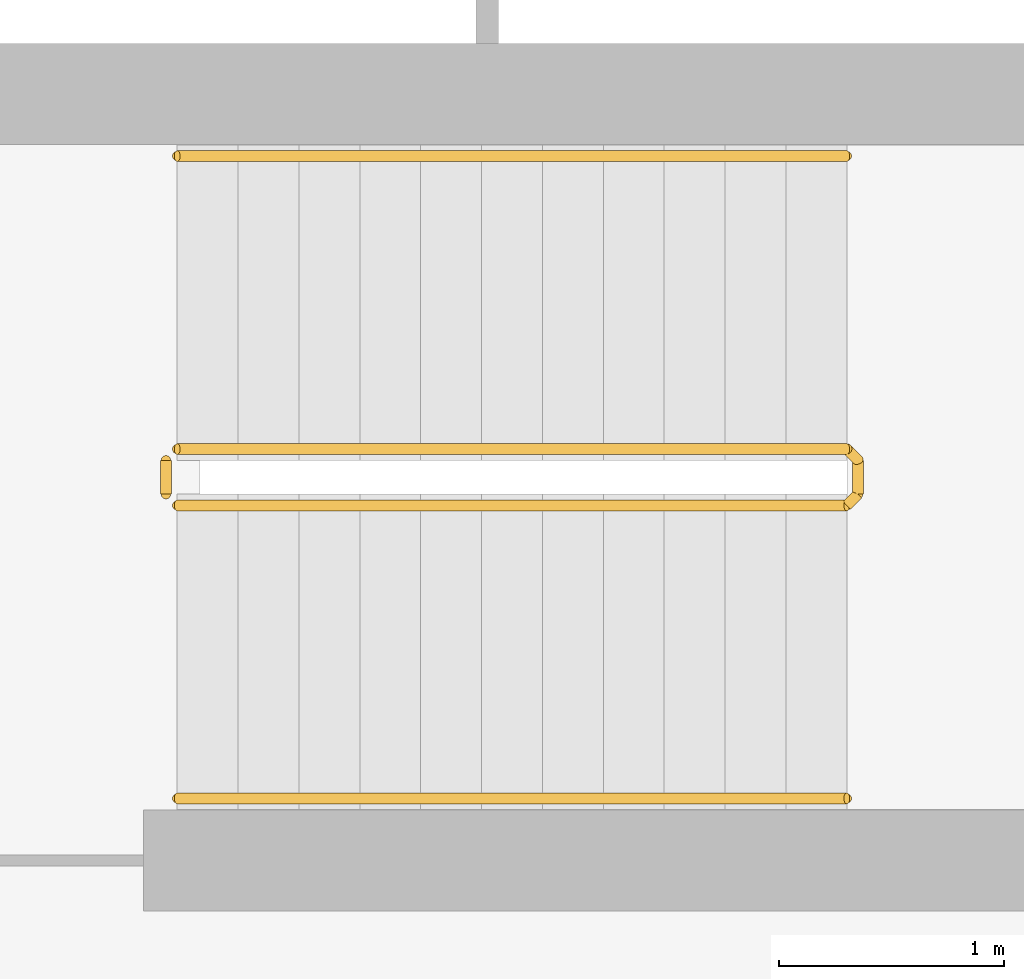
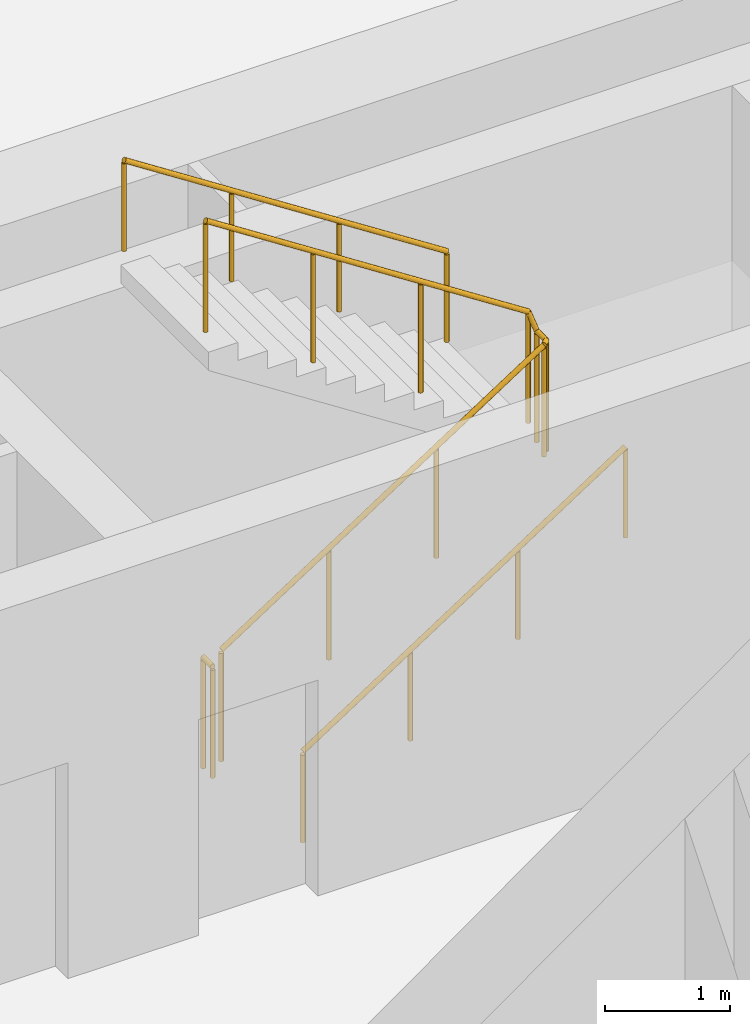
# One storey, part 20 of 23: 4 railings.
"""IFC4 building model written with IfcOpenShell, lengths in metres."""

from ifc_helpers import new_model, si_unit, direction, frame, origin, origin_2d, place, context, subcontext, project, spatial, circle, extrude, material, type_object, element, save


model = new_model("IFC4")

# Units and contexts
model_context = context("Model", 3, precision=1e-05, world=origin(), true_north=direction((0.0, 1.0)))
body_context = subcontext(model_context, "Body", "Model", "MODEL_VIEW")
ifc_project = project(units=[si_unit("LENGTHUNIT", "METRE"), si_unit("AREAUNIT", "SQUARE_METRE"), si_unit("VOLUMEUNIT", "CUBIC_METRE"), si_unit("PLANEANGLEUNIT", "RADIAN"), si_unit("MASSUNIT", "GRAM", prefix="KILO")], contexts=[model_context])

# Site, building, storey
site_placement = place(None, origin())
site = spatial("IfcSite", under=ifc_project, at=site_placement, CompositionType="ELEMENT")
building_placement = place(site_placement, origin())
building = spatial("IfcBuilding", under=site, at=building_placement, Name="Saffron Iwan Residences", CompositionType="ELEMENT")
storey_placement = place(building_placement, frame((0.0, 0.0, 17.39990234375)))
storey = spatial("IfcBuildingStorey", under=building, at=storey_placement, Name="L03", CompositionType="ELEMENT", Elevation=17.39990234375)

# Railings
ifc_material_1 = material(Name="Steel S355", Category="steel")
railing_type_1 = type_object("IfcRailingType", Name="Stair guard 1100", PredefinedType="GUARDRAIL", material=ifc_material_1)
railing_1_placement = place(storey_placement, frame((53.925048828125, 74.27490234375, 0.175048828125)))
element("IfcRailing", 1, at=railing_1_placement, inside=storey, type_object=railing_type_1, Name="L03 ST-C stair guard 1", PredefinedType="GUARDRAIL", context=body_context, shape_type="SweptSolid", body=[
    extrude(circle(Radius=0.02392578125, at=origin_2d()), frame((0.0, 0.0, 1.076171875), z_axis=(0.83914424107, 0.0, 0.543908947048), x_axis=(0.0, 1.0, 0.0)), (0.0, 0.0, 1.0), 3.539306640625),
    extrude(circle(Radius=0.02392578125, at=origin_2d()), frame((2.969970703125, 0.0, 3.0009765625), z_axis=(0.707106781187, 0.707106781187, 0.0), x_axis=(-0.707106781187, 0.707106781187, 0.0)), (0.0, 0.0, 1.0), 0.07080078125),
    extrude(circle(Radius=0.02392578125, at=origin_2d()), frame((3.02001953125, 0.050048828125, 3.0009765625), z_axis=(0.0, 1.0, 0.0), x_axis=(-1.0, 0.0, 0.0)), (0.0, 0.0, 1.0), 0.150146484375),
    extrude(circle(Radius=0.02392578125, at=origin_2d()), frame((3.02001953125, 0.2001953125, 3.0009765625), z_axis=(-0.265155923931, 0.263862480399, 0.927399011991), x_axis=(-0.705375805398, -0.708833529934, 0.0)), (0.0, 0.0, 1.0), 0.188720703125),
    extrude(circle(Radius=0.02392578125, at=origin_2d()), frame((2.969970703125, 0.25, 3.17626953125), z_axis=(-0.83914424107, 0.0, 0.543908947048), x_axis=(0.0, -1.0, 0.0)), (0.0, 0.0, 1.0), 3.539306640625),
    extrude(circle(Radius=0.02099609375, at=origin_2d()), origin(), (0.0, 0.0, 1.0), 1.052001953125),
    extrude(circle(Radius=0.02099609375, at=origin_2d()), frame((0.989990234375, 0.0, 0.6416015625)), (0.0, 0.0, 1.0), 1.052001953125),
    extrude(circle(Radius=0.02099609375, at=origin_2d()), frame((1.97998046875, 0.0, 1.283447265625)), (0.0, 0.0, 1.0), 1.052001953125),
    extrude(circle(Radius=0.02099609375, at=origin_2d()), frame((2.969970703125, 0.0, 1.925048828125)), (0.0, 0.0, 1.0), 1.052001953125),
    extrude(circle(Radius=0.02099609375, at=origin_2d()), frame((3.02001953125, 0.050048828125, 1.925048828125)), (0.0, 0.0, 1.0), 1.052001953125),
    extrude(circle(Radius=0.02099609375, at=origin_2d()), frame((3.02001953125, 0.2001953125, 1.925048828125)), (0.0, 0.0, 1.0), 1.052001953125),
    extrude(circle(Radius=0.02099609375, at=origin_2d()), frame((2.969970703125, 0.25, 2.10009765625)), (0.0, 0.0, 1.0), 1.052001953125),
    extrude(circle(Radius=0.02099609375, at=origin_2d()), frame((1.97998046875, 0.25, 2.74169921875)), (0.0, 0.0, 1.0), 1.052001953125),
    extrude(circle(Radius=0.02099609375, at=origin_2d()), frame((0.989990234375, 0.25, 3.383544921875)), (0.0, 0.0, 1.0), 1.052001953125),
    extrude(circle(Radius=0.02099609375, at=origin_2d()), frame((0.0, 0.25, 4.025146484375)), (0.0, 0.0, 1.0), 1.052001953125),
])
railing_2_placement = place(storey_placement, frame((53.875, 74.324951171875, 0.0)))
element("IfcRailing", 2, at=railing_2_placement, inside=storey, type_object=railing_type_1, Name="L03 ST-C stair guard 2", PredefinedType="GUARDRAIL", context=body_context, shape_type="SweptSolid", body=[
    extrude(circle(Radius=0.02392578125, at=origin_2d()), frame((0.0, 0.0, 1.076171875), z_axis=(0.0, 1.0, 0.0), x_axis=(-1.0, 0.0, 0.0)), (0.0, 0.0, 1.0), 0.150146484375),
    extrude(circle(Radius=0.02099609375, at=origin_2d()), origin(), (0.0, 0.0, 1.0), 1.052001953125),
    extrude(circle(Radius=0.02099609375, at=origin_2d()), frame((0.0, 0.150146484375, 0.0)), (0.0, 0.0, 1.0), 1.052001953125),
])
ifc_material_2 = material(Name="Stainless steel 316", Category="steel")
railing_type_2 = type_object("IfcRailingType", Name="Stair handrail 900", PredefinedType="HANDRAIL", material=ifc_material_2)
railing_3_placement = place(storey_placement, frame((53.925048828125, 72.97509765625, 0.175048828125)))
element("IfcRailing", 3, at=railing_3_placement, inside=storey, type_object=railing_type_2, Name="L03 ST-C stair handrail 1", PredefinedType="HANDRAIL", context=body_context, shape_type="SweptSolid", body=[
    extrude(circle(Radius=0.02392578125, at=origin_2d()), frame((0.0, 0.0, 0.8759765625), z_axis=(0.83914424107, 0.0, 0.543908947048), x_axis=(0.0, 1.0, 0.0)), (0.0, 0.0, 1.0), 3.539306640625),
    extrude(circle(Radius=0.02099609375, at=origin_2d()), origin(), (0.0, 0.0, 1.0), 0.851806640625),
    extrude(circle(Radius=0.02099609375, at=origin_2d()), frame((0.989990234375, 0.0, 0.6416015625)), (0.0, 0.0, 1.0), 0.851806640625),
    extrude(circle(Radius=0.02099609375, at=origin_2d()), frame((1.97998046875, 0.0, 1.283447265625)), (0.0, 0.0, 1.0), 0.851806640625),
    extrude(circle(Radius=0.02099609375, at=origin_2d()), frame((2.969970703125, 0.0, 1.925048828125)), (0.0, 0.0, 1.0), 0.851806640625),
])
railing_4_placement = place(storey_placement, frame((56.89501953125, 75.824951171875, 2.275146484375)))
element("IfcRailing", 4, at=railing_4_placement, inside=storey, type_object=railing_type_2, Name="L03 ST-C stair handrail 2", PredefinedType="HANDRAIL", context=body_context, shape_type="SweptSolid", body=[
    extrude(circle(Radius=0.02392578125, at=origin_2d()), frame((0.0, 0.0, 0.8759765625), z_axis=(-0.83914424107, 0.0, 0.543908947048), x_axis=(0.0, -1.0, 0.0)), (0.0, 0.0, 1.0), 3.539306640625),
    extrude(circle(Radius=0.02099609375, at=origin_2d()), origin(), (0.0, 0.0, 1.0), 0.851806640625),
    extrude(circle(Radius=0.02099609375, at=origin_2d()), frame((-0.989990234375, 0.0, 0.6416015625)), (0.0, 0.0, 1.0), 0.851806640625),
    extrude(circle(Radius=0.02099609375, at=origin_2d()), frame((-1.97998046875, 0.0, 1.283447265625)), (0.0, 0.0, 1.0), 0.851806640625),
    extrude(circle(Radius=0.02099609375, at=origin_2d()), frame((-2.969970703125, 0.0, 1.925048828125)), (0.0, 0.0, 1.0), 0.851806640625),
])

save(model, "model.ifc")
